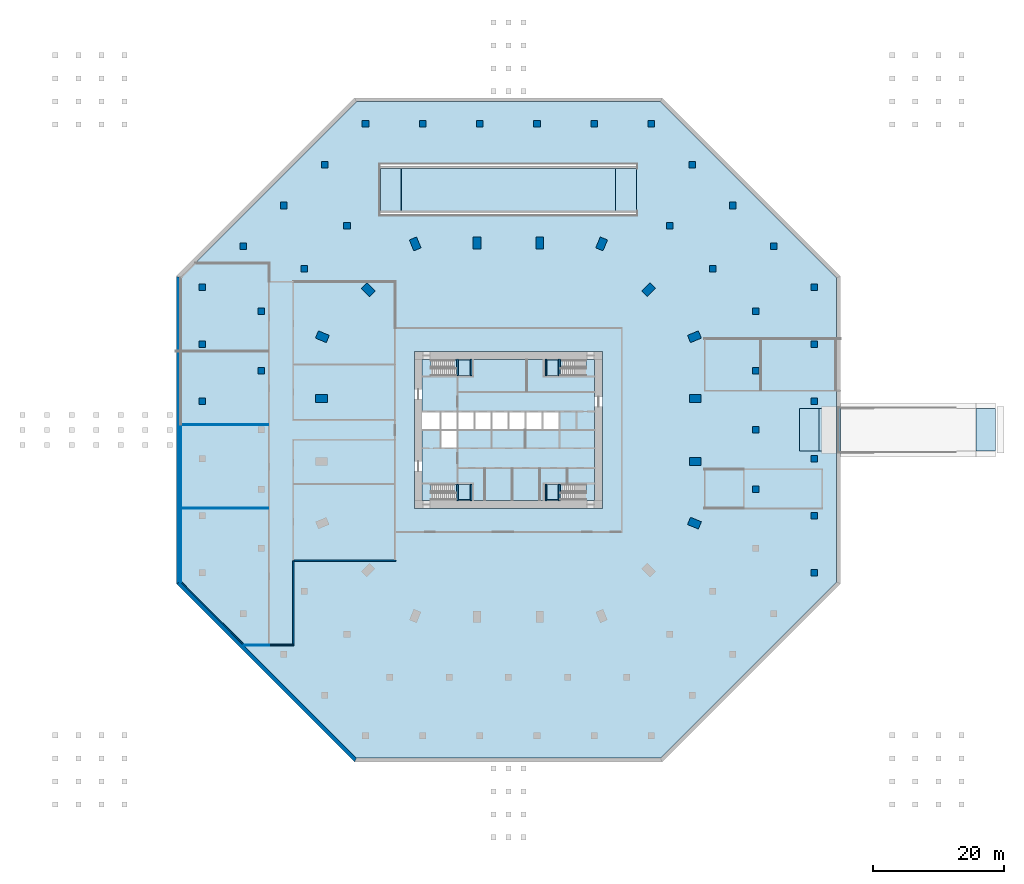
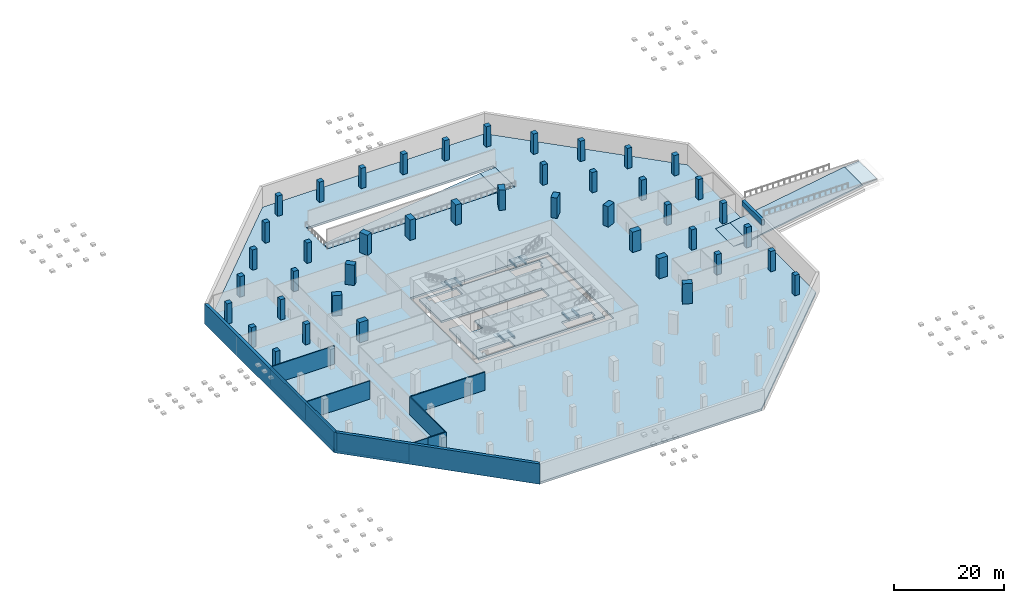
# One storey, part 3 of 11: 43 columns, 12 slabs, 11 walls, 9 beams, 4 elements without a shape of their own.
"""IFC4 building model written with IfcOpenShell, lengths in metres."""

from ifc_helpers import new_model, si_unit, direction, frame, frame_2d, origin, origin_2d, place, context, subcontext, project, spatial, polyline, rectangle, outline, extrude, material, layer, layer_set, material_profile, profile_set, type_object, element, aggregate, save


model = new_model("IFC4")

# Units and contexts
model_context = context("Model", 3, precision=1e-05, world=origin(), true_north=direction((0.0, 1.0)))
body_context = subcontext(model_context, "Body", "Model", "MODEL_VIEW")
ifc_project = project(units=[si_unit("LENGTHUNIT", "METRE"), si_unit("AREAUNIT", "SQUARE_METRE"), si_unit("VOLUMEUNIT", "CUBIC_METRE"), si_unit("PLANEANGLEUNIT", "RADIAN"), si_unit("MASSUNIT", "GRAM", prefix="KILO")], contexts=[model_context])

# Site, building, storey
site_placement = place(None, origin())
site = spatial("IfcSite", under=ifc_project, at=site_placement, CompositionType="ELEMENT")
building_placement = place(site_placement, origin())
building = spatial("IfcBuilding", under=site, at=building_placement, Name="Msitu Wima Residences", CompositionType="ELEMENT")
storey_placement = place(building_placement, frame((0.0, 0.0, -4.5)))
storey = spatial("IfcBuildingStorey", under=building, at=storey_placement, Name="B1", CompositionType="ELEMENT", Elevation=-4.5)

# Columns
ifc_material_1 = material(Name="Concrete C60/75", Category="concrete")
ifc_material_profile_1 = material_profile(ifc_material_1, rectangle(XDim=1.0, YDim=1.0, at=origin_2d()), Name="RC 1000x1000")
ifc_profile_set_1 = profile_set([ifc_material_profile_1], Name="Concrete C60/75")
column_type_1 = type_object("IfcColumnType", Name="Base column CB10 1000x1000", PredefinedType="COLUMN", material=ifc_profile_set_1)
for number, where, z_axis, x_axis, name in (
    (1, (46.800048828125, -21.85595703125, 0.0), (0.0, 0.0, 1.0), (1.0, 0.0, 0.0), "Column +46.8/-21.9 B1"),
    (2, (46.800048828125, -13.113525390625, 0.0), (0.0, 0.0, 1.0), (1.0, 0.0, 0.0), "Column +46.8/-13.1 B1"),
    (3, (37.800048828125, -9.06396484375, 0.0), (0.0, 0.0, 1.0), (1.0, 0.0, 0.0), "Column +37.8/-9.1 B1"),
    (4, (46.800048828125, -4.37109375, 0.0), (0.0, 0.0, 1.0), (1.0, 0.0, 0.0), "Column +46.8/-4.4 B1"),
    (5, (37.800048828125, 0.0, 0.0), (0.0, 0.0, 1.0), (1.0, 0.0, 0.0), "Column +37.8/M B1"),
    (6, (-46.800048828125, 4.37109375, 0.0), (0.0, 0.0, 1.0), (1.0, 0.0, 0.0), "Column -46.8/+4.4 B1"),
    (7, (46.800048828125, 4.37109375, 0.0), (0.0, 0.0, 1.0), (1.0, 0.0, 0.0), "Column +46.8/+4.4 B1"),
    (8, (-37.800048828125, 9.06396484375, 0.0), (0.0, 0.0, 1.0), (1.0, 0.0, 0.0), "Column -37.8/+9.1 B1"),
    (9, (37.800048828125, 9.06396484375, 0.0), (0.0, 0.0, 1.0), (1.0, 0.0, 0.0), "Column +37.8/+9.1 B1"),
    (10, (-46.800048828125, 13.113525390625, 0.0), (0.0, 0.0, 1.0), (1.0, 0.0, 0.0), "Column -46.8/+13.1 B1"),
    (11, (46.800048828125, 13.113525390625, 0.0), (0.0, 0.0, 1.0), (1.0, 0.0, 0.0), "Column +46.8/+13.1 B1"),
    (12, (-37.800048828125, 18.1279296875, 0.0), (0.0, 0.0, 1.0), (1.0, 0.0, 0.0), "Column -37.8/+18.1 B1"),
    (13, (37.800048828125, 18.1279296875, 0.0), (0.0, 0.0, 1.0), (1.0, 0.0, 0.0), "Column +37.8/+18.1 B1"),
    (14, (-46.800048828125, 21.85595703125, 0.0), (0.0, 0.0, 1.0), (1.0, 0.0, 0.0), "Column -46.8/+21.9 B1"),
    (15, (46.800048828125, 21.85595703125, 0.0), (0.0, 0.0, 1.0), (1.0, 0.0, 0.0), "Column +46.8/+21.9 B1"),
    (16, (-31.24267578125, 24.685302734375, 0.0), (0.0, 0.0, 1.0), (1.0, 0.0, 0.0), "Column -31.2/+24.7 B1"),
    (17, (31.24267578125, 24.685302734375, 0.0), (0.0, 0.0, 1.0), (1.0, 0.0, 0.0), "Column +31.2/+24.7 B1"),
    (18, (-40.56396484375, 28.091796875, 0.0), (0.0, 0.0, 1.0), (1.0, 0.0, 0.0), "Column -40.6/+28.1 B1"),
    (19, (40.56396484375, 28.091796875, 0.0), (0.0, 0.0, 1.0), (1.0, 0.0, 0.0), "Column +40.6/+28.1 B1"),
    (20, (-24.685302734375, 31.24267578125, 0.0), (0.0, 0.0, 1.0), (1.0, 0.0, 0.0), "Column -24.7/+31.2 B1"),
    (21, (24.685302734375, 31.24267578125, 0.0), (0.0, 0.0, 1.0), (1.0, 0.0, 0.0), "Column +24.7/+31.2 B1"),
    (22, (-34.327880859375, 34.327880859375, 0.0), (0.0, 0.0, 1.0), (1.0, 0.0, 0.0), "Column -34.3/+34.3 B1"),
    (23, (34.327880859375, 34.327880859375, 0.0), (0.0, 0.0, 1.0), (1.0, 0.0, 0.0), "Column +34.3/+34.3 B1"),
    (24, (-28.091796875, 40.56396484375, 0.0), (0.0, 0.0, 1.0), (1.0, 0.0, 0.0), "Column -28.1/+40.6 B1"),
    (25, (28.091796875, 40.56396484375, 0.0), (0.0, 0.0, 1.0), (1.0, 0.0, 0.0), "Column +28.1/+40.6 B1"),
    (26, (-21.85595703125, 46.800048828125, 0.0), (0.0, 0.0, 1.0), (1.0, 0.0, 0.0), "Column -21.9/+46.8 B1"),
    (27, (-13.113525390625, 46.800048828125, 0.0), (0.0, 0.0, 1.0), (1.0, 0.0, 0.0), "Column -13.1/+46.8 B1"),
    (28, (-4.37109375, 46.800048828125, 0.0), (0.0, 0.0, 1.0), (1.0, 0.0, 0.0), "Column -4.4/+46.8 B1"),
    (29, (4.37109375, 46.800048828125, 0.0), (0.0, 0.0, 1.0), (1.0, 0.0, 0.0), "Column +4.4/+46.8 B1"),
    (30, (13.113525390625, 46.800048828125, 0.0), (0.0, 0.0, 1.0), (1.0, 0.0, 0.0), "Column +13.1/+46.8 B1"),
    (31, (21.85595703125, 46.800048828125, 0.0), (0.0, 0.0, 1.0), (1.0, 0.0, 0.0), "Column +21.9/+46.8 B1"),
):
    element("IfcColumn", number, at=place(storey_placement, frame(where, z_axis=z_axis, x_axis=x_axis)), inside=storey, type_object=column_type_1, Name=name, PredefinedType="COLUMN", context=body_context, shape_type="SweptSolid", body=[
        extrude(rectangle(XDim=1.0, YDim=1.0, at=origin_2d()), origin(), (0.0, 0.0, 1.0), 4.5),
    ])
ifc_material_2 = material(Name="Concrete C70/85", Category="concrete")
ifc_material_profile_2 = material_profile(ifc_material_2, rectangle(XDim=1.199951171875, YDim=1.800048828125, at=origin_2d()), Name="RC 1200x1800")
ifc_profile_set_2 = profile_set([ifc_material_profile_2], Name="Concrete C70/85")
column_type_2 = type_object("IfcColumnType", Name="Base column CB18 1200x1800", PredefinedType="COLUMN", material=ifc_profile_set_2)
for number, where, z_axis, x_axis, name in (
    (32, (28.4541015625, -14.2568359375, 0.0), (0.0, 0.0, 1.0), (0.382683496864, 0.923879505795, 0.0), "Column +28.5/-14.3 B1"),
    (33, (28.574951171875, -4.800048828125, 0.0), (0.0, 0.0, 1.0), (0.0, 1.0, 0.0), "Column +28.6/L B1"),
    (34, (-28.574951171875, 4.800048828125, 0.0), (0.0, 0.0, 1.0), (0.0, -1.0, 0.0), "Column -28.6/N B1"),
    (35, (28.574951171875, 4.800048828125, 0.0), (0.0, 0.0, 1.0), (0.0, 1.0, 0.0), "Column +28.6/N B1"),
    (36, (-28.4541015625, 14.2568359375, 0.0), (0.0, 0.0, 1.0), (-0.382683496864, -0.923879505795, 0.0), "Column -28.5/+14.3 B1"),
    (37, (28.4541015625, 14.2568359375, 0.0), (0.0, 0.0, 1.0), (-0.382683496864, 0.923879505795, 0.0), "Column +28.5/+14.3 B1"),
    (38, (-21.44091796875, 21.44091796875, 0.0), (0.0, 0.0, 1.0), (-0.707106781187, -0.707106781187, 0.0), "Column -21.4/+21.4 B1"),
    (39, (21.44091796875, 21.44091796875, 0.0), (0.0, 0.0, 1.0), (-0.707106781187, 0.707106781187, 0.0), "Column +21.4/+21.4 B1"),
    (40, (-14.2568359375, 28.4541015625, 0.0), (0.0, 0.0, 1.0), (-0.923879505795, -0.382683496864, 0.0), "Column -14.3/+28.5 B1"),
    (41, (14.2568359375, 28.4541015625, 0.0), (0.0, 0.0, 1.0), (-0.923879505795, 0.382683496864, 0.0), "Column +14.3/+28.5 B1"),
    (42, (-4.800048828125, 28.574951171875, 0.0), (0.0, 0.0, 1.0), (-1.0, 0.0, 0.0), "Column 11/+28.6 B1"),
    (43, (4.800048828125, 28.574951171875, 0.0), (0.0, 0.0, 1.0), (-1.0, 0.0, 0.0), "Column 13/+28.6 B1"),
):
    element("IfcColumn", number, at=place(storey_placement, frame(where, z_axis=z_axis, x_axis=x_axis)), inside=storey, type_object=column_type_2, Name=name, PredefinedType="COLUMN", context=body_context, shape_type="SweptSolid", body=[
        extrude(rectangle(XDim=1.199951171875, YDim=1.800048828125, at=origin_2d()), origin(), (0.0, 0.0, 1.0), 4.5),
    ])

# Beams
ifc_material_profile_3 = material_profile(ifc_material_1, rectangle(XDim=0.60009765625, YDim=1.199951171875, at=origin_2d()), Name="RC 600x1200")
ifc_profile_set_3 = profile_set([ifc_material_profile_3], Name="Concrete C60/75")
beam_type_1 = type_object("IfcBeamType", Name="Entry lintel beam LB1", PredefinedType="LINTEL", material=ifc_profile_set_3)
beam_placement = place(storey_placement, frame((50.5, -3.60009765625, 3.449951171875), z_axis=(0.0, 1.0, 0.0), x_axis=(-1.0, 0.0, 0.0)))
element("IfcBeam", 44, at=beam_placement, inside=storey, type_object=beam_type_1, Name="Vehicle entry lintel beam B1", PredefinedType="LINTEL", context=body_context, shape_type="SweptSolid", body=[
    extrude(rectangle(XDim=0.60009765625, YDim=1.199951171875, at=origin_2d()), origin(), (0.0, 0.0, 1.0), 7.2001953125),
])
ifc_material_3 = material(Name="Concrete C40/50", Category="concrete")
ifc_material_profile_4 = material_profile(ifc_material_3, rectangle(XDim=0.25, YDim=0.35009765625, at=origin_2d()), Name="RC 250x350")
ifc_profile_set_4 = profile_set([ifc_material_profile_4], Name="Concrete C40/50")
beam_type_2 = type_object("IfcBeamType", Name="Landing beam RC 250x350", PredefinedType="BEAM", material=ifc_profile_set_4)
for number, where, z_axis, x_axis, name in (
    (45, (-7.77490234375, 8.324951171875, 1.958251953125), (0.0, 1.0, 0.0), (-1.0, 0.0, 0.0), "Stair 1 landing beam"),
    (46, (-5.72509765625, 8.324951171875, 1.958251953125), (0.0, 1.0, 0.0), (-1.0, 0.0, 0.0), "Stair 1 landing beam"),
    (47, (-7.77490234375, -10.824951171875, 1.958251953125), (0.0, 1.0, 0.0), (-1.0, 0.0, 0.0), "Stair 2 landing beam"),
    (48, (-5.72509765625, -10.824951171875, 1.958251953125), (0.0, 1.0, 0.0), (-1.0, 0.0, 0.0), "Stair 2 landing beam"),
    (49, (7.77490234375, 8.324951171875, 1.958251953125), (0.0, 1.0, 0.0), (-1.0, 0.0, 0.0), "Stair 3 landing beam"),
    (50, (5.72509765625, 8.324951171875, 1.958251953125), (0.0, 1.0, 0.0), (-1.0, 0.0, 0.0), "Stair 3 landing beam"),
    (51, (7.77490234375, -10.824951171875, 1.958251953125), (0.0, 1.0, 0.0), (-1.0, 0.0, 0.0), "Stair 4 landing beam"),
    (52, (5.72509765625, -10.824951171875, 1.958251953125), (0.0, 1.0, 0.0), (-1.0, 0.0, 0.0), "Stair 4 landing beam"),
):
    element("IfcBeam", number, at=place(storey_placement, frame(where, z_axis=z_axis, x_axis=x_axis)), inside=storey, type_object=beam_type_2, Name=name, PredefinedType="BEAM", context=body_context, shape_type="SweptSolid", body=[
        extrude(rectangle(XDim=0.25, YDim=0.35009765625, at=origin_2d()), origin(), (0.0, 0.0, 1.0), 2.5),
    ])

# Slabs
ifc_layer_1 = layer(ifc_material_3, 0.451904296875)
ifc_layer_set_1 = layer_set([ifc_layer_1], Name="Concrete C40/50")
slab_type_1 = type_object("IfcSlabType", Name="Core floor CF452", PredefinedType="FLOOR", material=ifc_layer_set_1)
slab_1_placement = place(storey_placement, frame((0.0, 0.0, -0.451904296875)))
element("IfcSlab", 53, at=slab_1_placement, inside=storey, type_object=slab_type_1, Name="Core floor", PredefinedType="FLOOR", context=body_context, shape_type="SweptSolid", body=[
    extrude(outline(polyline([(-13.199951171875, 10.800048828125), (-13.199951171875, 2.800048828125), (-10.39990234375, 2.800048828125), (-7.800048828125, 2.800048828125), (-5.199951171875, 2.800048828125), (-2.60009765625, 2.800048828125), (0.0, 2.800048828125), (2.60009765625, 2.800048828125), (5.199951171875, 2.800048828125), (7.800048828125, 2.800048828125), (7.800048828125, 0.0), (5.199951171875, 0.0), (2.60009765625, 0.0), (0.0, 0.0), (-2.60009765625, 0.0), (-5.199951171875, 0.0), (-7.800048828125, 0.0), (-7.800048828125, -2.800048828125), (-10.39990234375, -2.800048828125), (-10.39990234375, 0.0), (-13.199951171875, 0.0), (-13.199951171875, -10.800048828125), (13.199951171875, -10.800048828125), (13.199951171875, 10.800048828125), (-13.199951171875, 10.800048828125)]), holes=[polyline([(-11.375, -10.675048828125), (-11.375, -9.574951171875), (-11.87451171875, -9.574951171875), (-11.87451171875, -8.324951171875), (-5.52490234375, -8.324951171875), (-5.52490234375, -10.675048828125), (-11.375, -10.675048828125)]), polyline([(-11.375, 8.324951171875), (-11.375, 9.425048828125), (-11.87451171875, 9.425048828125), (-11.87451171875, 10.675048828125), (-5.52490234375, 10.675048828125), (-5.52490234375, 8.324951171875), (-11.375, 8.324951171875)]), polyline([(11.375, -9.574951171875), (11.375, -10.675048828125), (5.52490234375, -10.675048828125), (5.52490234375, -8.324951171875), (11.87451171875, -8.324951171875), (11.87451171875, -9.574951171875), (11.375, -9.574951171875)]), polyline([(11.375, 9.425048828125), (11.375, 8.324951171875), (5.52490234375, 8.324951171875), (5.52490234375, 10.675048828125), (11.87451171875, 10.675048828125), (11.87451171875, 9.425048828125), (11.375, 9.425048828125)])]), origin(), (0.0, 0.0, 1.0), 0.451904296875),
])
ifc_layer_2 = layer(ifc_material_3, 0.449951171875)
ifc_layer_set_2 = layer_set([ifc_layer_2], Name="Concrete C40/50")
slab_type_2 = type_object("IfcSlabType", Name="Floor slab FS450", PredefinedType="FLOOR", material=ifc_layer_set_2)
slab_2_placement = place(storey_placement, frame((0.0, 0.0, -0.449951171875)))
element("IfcSlab", 54, at=slab_2_placement, inside=storey, type_object=slab_type_2, Name="Floor slab B1", PredefinedType="FLOOR", context=body_context, shape_type="SweptSolid", body=[
    extrude(outline(polyline([(-23.26416015625, -50.199951171875), (-50.199951171875, -23.26416015625), (-50.199951171875, 23.26416015625), (-23.26416015625, 50.199951171875), (23.26416015625, 50.199951171875), (50.199951171875, 23.26416015625), (50.199951171875, -23.26416015625), (23.26416015625, -50.199951171875), (-23.26416015625, -50.199951171875)]), holes=[polyline([(-14.39990234375, 12.0), (-14.39990234375, -12.0), (14.39990234375, -12.0), (14.39990234375, 12.0), (-14.39990234375, 12.0)]), polyline([(19.60009765625, 40.60009765625), (-19.60009765625, 40.60009765625), (-19.60009765625, 32.89990234375), (19.60009765625, 32.89990234375), (19.60009765625, 40.60009765625)])]), origin(), (0.0, 0.0, 1.0), 0.449951171875),
])

# Stair, slab
stair_type = type_object("IfcStairType", Name="Exit stair ES1667-110", PredefinedType="HALF_TURN_STAIR", material=ifc_material_3)
stair_1_placement = place(storey_placement, origin())
stair_1 = element("IfcStair", 55, at=stair_1_placement, inside=storey, type_object=stair_type, Name="Basement stair 1", PredefinedType="HALF_TURN_STAIR")
ifc_layer_3 = layer(ifc_material_3, 0.199951171875)
ifc_layer_set_3 = layer_set([ifc_layer_3], Name="Concrete C40/50")
slab_type_3 = type_object("IfcSlabType", Name="Stair landing SL200", PredefinedType="LANDING", material=ifc_layer_set_3)
slab_3_placement = place(storey_placement, frame((0.0, 0.0, 2.13330078125)))
slab_3 = element("IfcSlab", 56, at=slab_3_placement, type_object=slab_type_3, Name="BST1 landing 1", PredefinedType="LANDING", context=body_context, shape_type="SweptSolid", body=[
    extrude(outline(polyline([(-5.52490234375, 8.324951171875), (-7.9755859375, 8.324951171875), (-7.9755859375, 9.5), (-8.77490234375, 9.5), (-8.77490234375, 10.675048828125), (-5.52490234375, 10.675048828125), (-5.52490234375, 8.324951171875)])), origin(), (0.0, 0.0, 1.0), 0.199951171875),
])
aggregate(stair_1, [slab_3])

stair_2_placement = place(storey_placement, origin())
stair_2 = element("IfcStair", 57, at=stair_2_placement, inside=storey, type_object=stair_type, Name="Basement stair 2", PredefinedType="HALF_TURN_STAIR")
slab_4_placement = place(storey_placement, frame((0.0, 0.0, 2.13330078125)))
slab_4 = element("IfcSlab", 58, at=slab_4_placement, type_object=slab_type_3, Name="BST2 landing 1", PredefinedType="LANDING", context=body_context, shape_type="SweptSolid", body=[
    extrude(outline(polyline([(-5.52490234375, -10.675048828125), (-7.9755859375, -10.675048828125), (-7.9755859375, -9.5), (-8.77490234375, -9.5), (-8.77490234375, -8.324951171875), (-5.52490234375, -8.324951171875), (-5.52490234375, -10.675048828125)])), origin(), (0.0, 0.0, 1.0), 0.199951171875),
])
aggregate(stair_2, [slab_4])

stair_3_placement = place(storey_placement, origin())
stair_3 = element("IfcStair", 59, at=stair_3_placement, inside=storey, type_object=stair_type, Name="Basement stair 3", PredefinedType="HALF_TURN_STAIR")
slab_5_placement = place(storey_placement, frame((0.0, 0.0, 2.13330078125)))
slab_5 = element("IfcSlab", 60, at=slab_5_placement, type_object=slab_type_3, Name="BST3 landing 1", PredefinedType="LANDING", context=body_context, shape_type="SweptSolid", body=[
    extrude(outline(polyline([(5.52490234375, 8.324951171875), (7.9755859375, 8.324951171875), (7.9755859375, 9.5), (8.77490234375, 9.5), (8.77490234375, 10.675048828125), (5.52490234375, 10.675048828125), (5.52490234375, 8.324951171875)])), origin(), (0.0, 0.0, 1.0), 0.199951171875),
])
aggregate(stair_3, [slab_5])

stair_4_placement = place(storey_placement, origin())
stair_4 = element("IfcStair", 61, at=stair_4_placement, inside=storey, type_object=stair_type, Name="Basement stair 4", PredefinedType="HALF_TURN_STAIR")
slab_6_placement = place(storey_placement, frame((0.0, 0.0, 2.13330078125)))
slab_6 = element("IfcSlab", 62, at=slab_6_placement, type_object=slab_type_3, Name="BST4 landing 1", PredefinedType="LANDING", context=body_context, shape_type="SweptSolid", body=[
    extrude(outline(polyline([(5.52490234375, -10.675048828125), (7.9755859375, -10.675048828125), (7.9755859375, -9.5), (8.77490234375, -9.5), (8.77490234375, -8.324951171875), (5.52490234375, -8.324951171875), (5.52490234375, -10.675048828125)])), origin(), (0.0, 0.0, 1.0), 0.199951171875),
])
aggregate(stair_4, [slab_6])

# Slabs
ifc_layer_4 = layer(ifc_material_3, 0.300048828125)
ifc_layer_set_4 = layer_set([ifc_layer_4], Name="Concrete C40/50")
slab_type_4 = type_object("IfcSlabType", Name="Vehicle ramp RP1 slab RC 300", PredefinedType="FLOOR", material=ifc_layer_set_4)
slab_7_placement = place(storey_placement, frame((19.60009765625, 33.5, 0.0), z_axis=(-0.062359325008, 0.0, 0.998053763374), x_axis=(-0.998053763374, 0.0, -0.062359325008)))
element("IfcSlab", 63, at=slab_7_placement, inside=storey, type_object=slab_type_4, Name="Car ramp B1 to B2 top transition", PredefinedType="FLOOR", context=body_context, shape_type="SweptSolid", body=[
    extrude(outline(polyline([(0.0, 0.0), (3.206435795284409, 0.0), (3.206435795284409, -6.500000000000002), (0.0, -6.500000000000002), (0.0, 0.0)])), origin(), (0.0, 0.0, -1.0), 0.300048828125),
])
slab_8_placement = place(storey_placement, frame((16.39990234375, 33.5, -0.199951171875), z_axis=(-0.124038370711, 0.0, 0.992277422192), x_axis=(-0.992277422192, 0.0, -0.124038370711)))
element("IfcSlab", 64, at=slab_8_placement, inside=storey, type_object=slab_type_4, Name="Car ramp B1 to B2 main run", PredefinedType="FLOOR", context=body_context, shape_type="SweptSolid", body=[
    extrude(outline(polyline([(0.0, 0.0), (33.05507507674024, 0.0), (33.05507507674024, -6.5), (0.0, -6.5), (0.0, 0.0)])), origin(), (0.0, 0.0, -1.0), 0.300048828125),
])
slab_9_placement = place(storey_placement, frame((-16.39990234375, 33.5, -4.300048828125), z_axis=(-0.062359325008, 0.0, 0.998053763374), x_axis=(-0.998053763374, 0.0, -0.062359325008)))
element("IfcSlab", 65, at=slab_9_placement, inside=storey, type_object=slab_type_4, Name="Car ramp B1 to B2 bottom transition", PredefinedType="FLOOR", context=body_context, shape_type="SweptSolid", body=[
    extrude(outline(polyline([(0.0, 0.0), (3.206435795284409, 0.0), (3.206435795284409, -6.500000000000002), (0.0, -6.500000000000002), (0.0, 0.0)])), origin(), (0.0, 0.0, -1.0), 0.300048828125),
])
ifc_layer_5 = layer(ifc_material_3, 0.300048828125)
ifc_layer_set_5 = layer_set([ifc_layer_5], Name="Concrete C40/50")
slab_type_5 = type_object("IfcSlabType", Name="Vehicle ramp RP2 slab RC 300", PredefinedType="FLOOR", material=ifc_layer_set_5)
slab_10_placement = place(storey_placement, frame((44.5, -3.25, 0.0), z_axis=(-0.083045479854, 0.0, 0.996545758245), x_axis=(0.996545758245, 0.0, 0.083045479854)))
element("IfcSlab", 66, at=slab_10_placement, inside=storey, type_object=slab_type_5, Name="Street entry ramp top transition", PredefinedType="FLOOR", context=body_context, shape_type="SweptSolid", body=[
    extrude(outline(polyline([(0.0, 0.0), (3.010398644698074, 0.0), (3.010398644698074, 6.5), (0.0, 6.5), (0.0, 0.0)])), origin(), (0.0, 0.0, -1.0), 0.300048828125),
])
slab_11_placement = place(storey_placement, frame((47.5, -3.25, 0.25), z_axis=(-0.164398987305, 0.0, 0.986393923832), x_axis=(0.986393923832, 0.0, 0.164398987305)))
element("IfcSlab", 67, at=slab_11_placement, inside=storey, type_object=slab_type_5, Name="Street entry ramp main run", PredefinedType="FLOOR", context=body_context, shape_type="SweptSolid", body=[
    extrude(outline(polyline([(0.0, 0.0), (24.33105012119288, 0.0), (24.33105012119288, 6.5), (0.0, 6.5), (0.0, 0.0)])), origin(), (0.0, 0.0, -1.0), 0.300048828125),
])
slab_12_placement = place(storey_placement, frame((71.5, -3.25, 4.25), z_axis=(-0.083045479854, 0.0, 0.996545758245), x_axis=(0.996545758245, 0.0, 0.083045479854)))
element("IfcSlab", 68, at=slab_12_placement, inside=storey, type_object=slab_type_5, Name="Street entry ramp bottom transition", PredefinedType="FLOOR", context=body_context, shape_type="SweptSolid", body=[
    extrude(outline(polyline([(0.0, 0.0), (3.010398644698074, 0.0), (3.010398644698074, 6.5), (0.0, 6.5), (0.0, 0.0)])), origin(), (0.0, 0.0, -1.0), 0.300048828125),
])

# Walls
ifc_material_4 = material(Name="Plaster")
ifc_layer_6 = layer(ifc_material_4, 0.011962890625, Name="Plaster")
ifc_material_5 = material(Name="Concrete blockwork", Category="masonry")
ifc_layer_7 = layer(ifc_material_5, 0.176025390625, Name="Concrete blockwork")
ifc_layer_8 = layer(ifc_material_4, 0.011962890625, Name="Plaster")
ifc_layer_set_6 = layer_set([ifc_layer_6, ifc_layer_7, ifc_layer_8], Name="Concrete blockwork")
wall_type_1 = type_object("IfcWallType", Name="Corridor wall FW200", PredefinedType="PARTITIONING", material=ifc_layer_set_6)
wall_1_placement = place(storey_placement, frame((-36.60009765625, -32.89990234375, 0.0), z_axis=(0.0, 0.0, 1.0), x_axis=(1.0, 0.0, 0.0)))
element("IfcWall", 69, at=wall_1_placement, inside=storey, type_object=wall_type_1, Name="Corridor wall", PredefinedType="PARTITIONING", context=body_context, shape_type="SweptSolid", body=[
    extrude(rectangle(XDim=3.800048828125, YDim=0.199951171875, at=frame_2d((1.89990234375, 0.0))), origin(), (0.0, 0.0, 1.0), 4.048095703125),
])
wall_2_placement = place(storey_placement, frame((-32.89990234375, -32.800048828125, 0.0), z_axis=(0.0, 0.0, 1.0), x_axis=(0.0, 1.0, 0.0)))
element("IfcWall", 70, at=wall_2_placement, inside=storey, type_object=wall_type_1, Name="Corridor wall", PredefinedType="PARTITIONING", context=body_context, shape_type="SweptSolid", body=[
    extrude(rectangle(XDim=12.780029296875, YDim=0.199951171875, at=frame_2d((6.39013671875, 0.0))), origin(), (0.0, 0.0, 1.0), 4.048095703125),
])
ifc_layer_9 = layer(ifc_material_4, 0.011962890625, Name="Plaster")
ifc_layer_10 = layer(ifc_material_5, 0.1259765625, Name="Concrete blockwork")
ifc_layer_11 = layer(ifc_material_4, 0.011962890625, Name="Plaster")
ifc_layer_set_7 = layer_set([ifc_layer_9, ifc_layer_10, ifc_layer_11], Name="Concrete blockwork")
wall_type_2 = type_object("IfcWallType", Name="Partition PW150", PredefinedType="PARTITIONING", material=ifc_layer_set_7)
wall_3_placement = place(storey_placement, frame((-50.10009765625, -23.2978515625, 0.0), z_axis=(0.0, 0.0, 1.0), x_axis=(0.0, 1.0, 0.0)))
element("IfcWall", 71, at=wall_3_placement, inside=storey, type_object=wall_type_2, Name="Partition", PredefinedType="PARTITIONING", context=body_context, shape_type="SweptSolid", body=[
    extrude(rectangle(XDim=11.2978515625, YDim=0.14990234375, at=frame_2d((5.64892578125, 0.0))), origin(), (0.0, 0.0, 1.0), 4.048095703125),
])
wall_4_placement = place(storey_placement, frame((-50.046875, -23.27587890625, 0.0), z_axis=(0.0, 0.0, 1.0), x_axis=(0.707106781187, -0.707106781187, 0.0)))
element("IfcWall", 72, at=wall_4_placement, inside=storey, type_object=wall_type_2, Name="Partition", PredefinedType="PARTITIONING", context=body_context, shape_type="SweptSolid", body=[
    extrude(rectangle(XDim=13.535400390625, YDim=0.14990234375, at=frame_2d((6.767578125, 0.0))), origin(), (0.0, 0.0, 1.0), 4.048095703125),
])
wall_5_placement = place(storey_placement, frame((-50.02490234375, -12.0, 0.0), z_axis=(0.0, 0.0, 1.0), x_axis=(1.0, 0.0, 0.0)))
element("IfcWall", 73, at=wall_5_placement, inside=storey, type_object=wall_type_2, Name="Partition", PredefinedType="PARTITIONING", context=body_context, shape_type="SweptSolid", body=[
    extrude(rectangle(XDim=13.324951171875, YDim=0.14990234375, at=frame_2d((6.66259765625, 0.0))), origin(), (0.0, 0.0, 1.0), 4.048095703125),
])
wall_6_placement = place(storey_placement, frame((-50.10009765625, -11.97998046875, 0.0), z_axis=(0.0, 0.0, 1.0), x_axis=(0.0, 1.0, 0.0)))
element("IfcWall", 74, at=wall_6_placement, inside=storey, type_object=wall_type_2, Name="Partition", PredefinedType="PARTITIONING", context=body_context, shape_type="SweptSolid", body=[
    extrude(rectangle(XDim=12.780029296875, YDim=0.14990234375, at=frame_2d((6.39013671875, 0.0))), origin(), (0.0, 0.0, 1.0), 4.048095703125),
])
wall_7_placement = place(storey_placement, frame((-50.175048828125, 0.800048828125, 0.0), z_axis=(0.0, 0.0, 1.0), x_axis=(1.0, 0.0, 0.0)))
element("IfcWall", 75, at=wall_7_placement, inside=storey, type_object=wall_type_2, Name="Partition", PredefinedType="PARTITIONING", context=body_context, shape_type="SweptSolid", body=[
    extrude(rectangle(XDim=13.47509765625, YDim=0.14990234375, at=frame_2d((6.737548828125, 0.0))), origin(), (0.0, 0.0, 1.0), 4.048095703125),
])
wall_8_placement = place(storey_placement, frame((-40.497802734375, -32.89990234375, 0.0), z_axis=(0.0, 0.0, 1.0), x_axis=(1.0, 0.0, 0.0)))
element("IfcWall", 76, at=wall_8_placement, inside=storey, type_object=wall_type_2, Name="Partition", PredefinedType="PARTITIONING", context=body_context, shape_type="SweptSolid", body=[
    extrude(rectangle(XDim=3.897705078125, YDim=0.14990234375, at=frame_2d((1.94873046875, 0.0))), origin(), (0.0, 0.0, 1.0), 4.048095703125),
])
ifc_layer_12 = layer(ifc_material_4, 0.011962890625, Name="Plaster")
ifc_material_6 = material(Name="Reinforced concrete blockwork", Category="masonry")
ifc_layer_13 = layer(ifc_material_6, 0.176025390625, Name="Reinforced concrete blockwork")
ifc_layer_14 = layer(ifc_material_4, 0.011962890625, Name="Plaster")
ifc_layer_set_8 = layer_set([ifc_layer_12, ifc_layer_13, ifc_layer_14], Name="Reinforced concrete blockwork")
wall_type_3 = type_object("IfcWallType", Name="Plant and riser wall PL200", PredefinedType="PARTITIONING", material=ifc_layer_set_8)
wall_9_placement = place(storey_placement, frame((-32.800048828125, -20.0, 0.0), z_axis=(0.0, 0.0, 1.0), x_axis=(1.0, 0.0, 0.0)))
element("IfcWall", 77, at=wall_9_placement, inside=storey, type_object=wall_type_3, Name="Plant and riser wall", PredefinedType="PARTITIONING", context=body_context, shape_type="SweptSolid", body=[
    extrude(rectangle(XDim=15.572021484375, YDim=0.199951171875, at=frame_2d((7.7861328125, 0.0))), origin(), (0.0, 0.0, 1.0), 4.048095703125),
])
ifc_layer_15 = layer(ifc_material_1, 0.60009765625)
ifc_layer_set_9 = layer_set([ifc_layer_15], Name="Concrete C60/75")
wall_type_4 = type_object("IfcWallType", Name="Retaining wall RW600", PredefinedType="SOLIDWALL", material=ifc_layer_set_9)
wall_10_placement = place(storey_placement, origin())
element("IfcWall", 78, at=wall_10_placement, inside=storey, type_object=wall_type_4, Name="Basement retaining wall W B1", PredefinedType="SOLIDWALL", context=body_context, shape_type="SweptSolid", body=[
    extrude(outline(polyline([(-50.800048828125, 23.5126953125), (-50.800048828125, -23.5126953125), (-50.199951171875, -23.26416015625), (-50.199951171875, 23.26416015625), (-50.800048828125, 23.5126953125)])), origin(), (0.0, 0.0, 1.0), 4.5),
])
wall_11_placement = place(storey_placement, origin())
element("IfcWall", 79, at=wall_11_placement, inside=storey, type_object=wall_type_4, Name="Basement retaining wall SW B1", PredefinedType="SOLIDWALL", context=body_context, shape_type="SweptSolid", body=[
    extrude(outline(polyline([(-50.800048828125, -23.5126953125), (-23.5126953125, -50.800048828125), (-23.26416015625, -50.199951171875), (-50.199951171875, -23.26416015625), (-50.800048828125, -23.5126953125)])), origin(), (0.0, 0.0, 1.0), 4.5),
])

save(model, "model.ifc")
